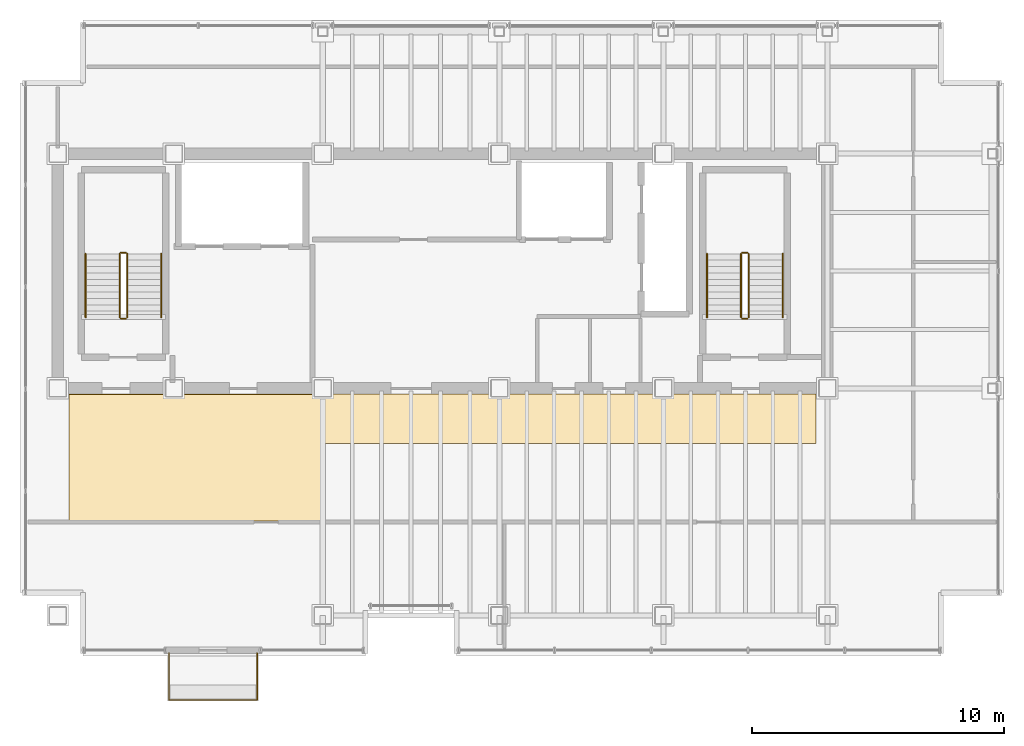
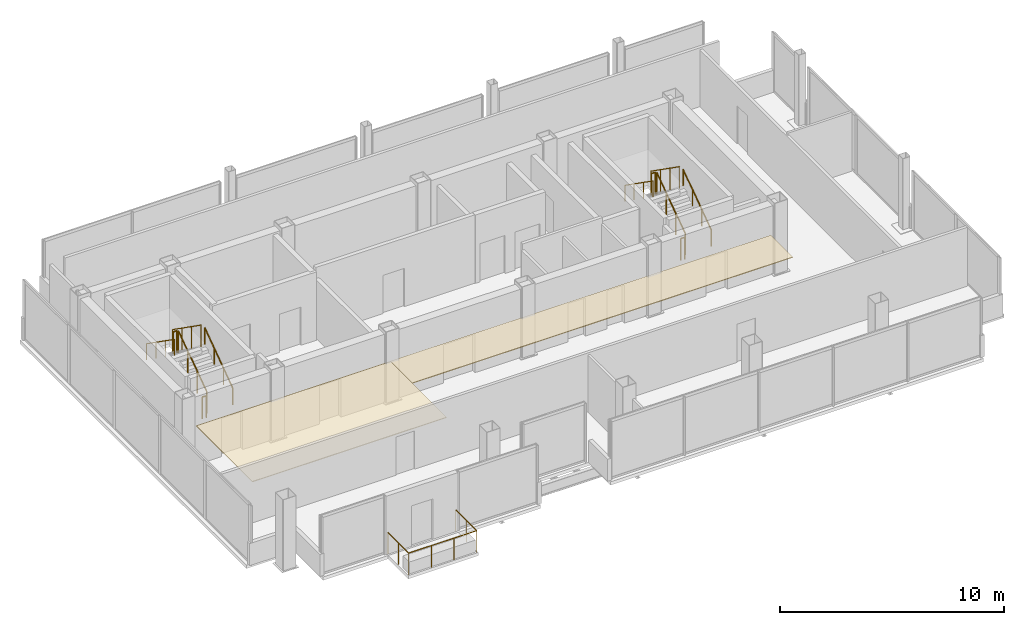
# One storey, part 17 of 17: 13 railings, 2 coverings.
"""IFC4 building model written with IfcOpenShell, lengths in metres."""

from ifc_helpers import new_model, si_unit, direction, frame, origin, origin_2d, place, context, subcontext, project, spatial, polyline, circle, outline, extrude, material, layer, layer_set, type_object, element, save


model = new_model("IFC4")

# Units and contexts
model_context = context("Model", 3, precision=1e-05, world=origin(), true_north=direction((0.0, 1.0)))
body_context = subcontext(model_context, "Body", "Model", "MODEL_VIEW")
ifc_project = project(units=[si_unit("LENGTHUNIT", "METRE"), si_unit("AREAUNIT", "SQUARE_METRE"), si_unit("VOLUMEUNIT", "CUBIC_METRE"), si_unit("PLANEANGLEUNIT", "RADIAN"), si_unit("MASSUNIT", "GRAM", prefix="KILO")], contexts=[model_context])

# Site, building, storey
site_placement = place(None, origin())
site = spatial("IfcSite", under=ifc_project, at=site_placement, CompositionType="ELEMENT")
building_placement = place(site_placement, origin())
building = spatial("IfcBuilding", under=site, at=building_placement, Name="Noeulbin Bourse Tower", CompositionType="ELEMENT")
storey_placement = place(building_placement, frame((0.0, 0.0, 285.199951171875)))
storey = spatial("IfcBuildingStorey", under=building, at=storey_placement, Name="L71", CompositionType="ELEMENT", Elevation=285.199951171875)

# Coverings
ifc_material_1 = material(Name="Perforated Mineral-Fibre Acoustic Tile")
ifc_layer_1 = layer(ifc_material_1, 0.0400390625)
ifc_layer_set_1 = layer_set([ifc_layer_1], Name="Perforated Mineral-Fibre Acoustic Tile")
covering_type_1 = type_object("IfcCoveringType", Name="COV-CEIL-ACT", PredefinedType="CEILING", material=ifc_layer_set_1)
covering_1_placement = place(storey_placement, frame((0.0, 0.0, 2.110107421875)))
element("IfcCovering", 1, at=covering_1_placement, inside=storey, type_object=covering_type_1, Name="Trading Suite Acoustic Ceiling L71", PredefinedType="CEILING", context=body_context, shape_type="SweptSolid", body=[
    extrude(outline(polyline([(13.949951171875, 23.75), (23.949951171875, 23.75), (23.949951171875, 28.75), (13.949951171875, 28.75), (13.949951171875, 23.75)])), origin(), (0.0, 0.0, 1.0), 0.0400390625),
])
ifc_material_2 = material(Name="Linear Anodised Aluminium Baffle Ceiling", Category="aluminium")
ifc_layer_2 = layer(ifc_material_2, 0.050048828125)
ifc_layer_set_2 = layer_set([ifc_layer_2], Name="Linear Anodised Aluminium Baffle Ceiling")
covering_type_2 = type_object("IfcCoveringType", Name="COV-CEIL-MTL", PredefinedType="CEILING", material=ifc_layer_set_2)
covering_2_placement = place(storey_placement, frame((0.0, 0.0, 2.110107421875)))
element("IfcCovering", 2, at=covering_2_placement, inside=storey, type_object=covering_type_2, Name="Corridor Suspended Ceiling L71", PredefinedType="CEILING", context=body_context, shape_type="SweptSolid", body=[
    extrude(outline(polyline([(13.949951171875, 26.820068359375), (43.550048828125, 26.820068359375), (43.550048828125, 28.780029296875), (13.949951171875, 28.780029296875), (13.949951171875, 26.820068359375)])), origin(), (0.0, 0.0, 1.0), 0.0400390625),
])

# Railings
ifc_material_3 = material(Name="Laminated SentryGlas and Stainless Steel 316", Category="steel")
ifc_layer_3 = layer(ifc_material_3, 0.06005859375)
ifc_layer_set_3 = layer_set([ifc_layer_3], Name="Laminated SentryGlas and Stainless Steel 316")
railing_type_1 = type_object("IfcRailingType", Name="RLG-BAL-1200", PredefinedType="BALUSTRADE", material=ifc_layer_set_3)
railing_1_placement = place(storey_placement, frame((17.89990234375, 18.52001953125, 0.0)))
element("IfcRailing", 3, at=railing_1_placement, inside=storey, type_object=railing_type_1, Name="Tree-Balcony Glazed Balustrade L71", PredefinedType="BALUSTRADE", context=body_context, shape_type="SweptSolid", body=[
    extrude(circle(Radius=0.02392578125, at=origin_2d()), frame((0.0, 0.0, 1.17578125), z_axis=(0.0, -1.0, 0.0), x_axis=(1.0, 0.0, 0.0)), (0.0, 0.0, 1.0), 1.8701171875),
    extrude(circle(Radius=0.02392578125, at=origin_2d()), frame((0.0, -1.8701171875, 1.17578125), z_axis=(1.0, 0.0, 0.0), x_axis=(0.0, 1.0, 0.0)), (0.0, 0.0, 1.0), 3.5),
    extrude(circle(Radius=0.02392578125, at=origin_2d()), frame((3.5, -1.8701171875, 1.17578125), z_axis=(0.0, 1.0, 0.0), x_axis=(-1.0, 0.0, 0.0)), (0.0, 0.0, 1.0), 1.8701171875),
    extrude(circle(Radius=0.02099609375, at=origin_2d()), origin(), (0.0, 0.0, 1.0), 1.15185546875),
    extrude(circle(Radius=0.02099609375, at=origin_2d()), frame((0.0, -0.93505859375, 0.0)), (0.0, 0.0, 1.0), 1.15185546875),
    extrude(circle(Radius=0.02099609375, at=origin_2d()), frame((0.0, -1.8701171875, 0.0)), (0.0, 0.0, 1.0), 1.15185546875),
    extrude(circle(Radius=0.02099609375, at=origin_2d()), frame((1.166748046875, -1.8701171875, 0.0)), (0.0, 0.0, 1.0), 1.15185546875),
    extrude(circle(Radius=0.02099609375, at=origin_2d()), frame((2.333251953125, -1.8701171875, 0.0)), (0.0, 0.0, 1.0), 1.15185546875),
    extrude(circle(Radius=0.02099609375, at=origin_2d()), frame((3.5, -1.8701171875, 0.0)), (0.0, 0.0, 1.0), 1.15185546875),
    extrude(circle(Radius=0.02099609375, at=origin_2d()), frame((3.5, -0.93505859375, 0.0)), (0.0, 0.0, 1.0), 1.15185546875),
    extrude(circle(Radius=0.02099609375, at=origin_2d()), frame((3.5, 0.0, 0.0)), (0.0, 0.0, 1.0), 1.15185546875),
])
ifc_material_4 = material(Name="Painted Tubular Steel S355", Category="steel")
ifc_layer_4 = layer(ifc_material_4, 0.048095703125)
ifc_layer_set_4 = layer_set([ifc_layer_4], Name="Painted Tubular Steel S355")
railing_type_2 = type_object("IfcRailingType", Name="RLG-STR-GRD", PredefinedType="GUARDRAIL", material=ifc_layer_set_4)
railing_2_placement = place(storey_placement, frame((16.25, 31.81005859375, 0.17724609375)))
element("IfcRailing", 4, at=railing_2_placement, inside=storey, type_object=railing_type_2, Name="L71 ST-1 stair guard 1", PredefinedType="GUARDRAIL", context=body_context, shape_type="SweptSolid", body=[
    extrude(circle(Radius=0.02392578125, at=origin_2d()), frame((0.0, 0.0, 1.17578125), z_axis=(0.0, 0.817904474719, 0.575354039036), x_axis=(-1.0, 0.0, 0.0)), (0.0, 0.0, 1.0), 3.0810546875),
    extrude(circle(Radius=0.02099609375, at=origin_2d()), origin(), (0.0, 0.0, 1.0), 1.15185546875),
    extrude(circle(Radius=0.02099609375, at=origin_2d()), frame((0.0, 0.840087890625, 0.5908203125)), (0.0, 0.0, 1.0), 1.15185546875),
    extrude(circle(Radius=0.02099609375, at=origin_2d()), frame((0.0, 1.679931640625, 1.181884765625)), (0.0, 0.0, 1.0), 1.15185546875),
    extrude(circle(Radius=0.02099609375, at=origin_2d()), frame((0.0, 2.52001953125, 1.772705078125)), (0.0, 0.0, 1.0), 1.15185546875),
])
railing_3_placement = place(storey_placement, frame((16.199951171875, 34.3798828125, 1.949951171875)))
element("IfcRailing", 5, at=railing_3_placement, inside=storey, type_object=railing_type_2, Name="L71 ST-1 stair guard 2", PredefinedType="GUARDRAIL", context=body_context, shape_type="SweptSolid", body=[
    extrude(circle(Radius=0.02392578125, at=origin_2d()), frame((0.0, 0.0, 1.17578125), z_axis=(-1.0, 0.0, 0.0), x_axis=(0.0, -1.0, 0.0)), (0.0, 0.0, 1.0), 0.199951171875),
    extrude(circle(Radius=0.02099609375, at=origin_2d()), origin(), (0.0, 0.0, 1.0), 1.15185546875),
    extrude(circle(Radius=0.02099609375, at=origin_2d()), frame((-0.199951171875, 0.0, 0.0)), (0.0, 0.0, 1.0), 1.15185546875),
])
railing_4_placement = place(storey_placement, frame((15.949951171875, 34.330078125, 2.12744140625)))
element("IfcRailing", 6, at=railing_4_placement, inside=storey, type_object=railing_type_2, Name="L71 ST-1 stair guard 3", PredefinedType="GUARDRAIL", context=body_context, shape_type="SweptSolid", body=[
    extrude(circle(Radius=0.02392578125, at=origin_2d()), frame((0.0, 0.0, 1.17578125), z_axis=(0.0, -0.817904474719, 0.575354039036), x_axis=(1.0, 0.0, 0.0)), (0.0, 0.0, 1.0), 3.0810546875),
    extrude(circle(Radius=0.02099609375, at=origin_2d()), origin(), (0.0, 0.0, 1.0), 1.15185546875),
    extrude(circle(Radius=0.02099609375, at=origin_2d()), frame((0.0, -0.840087890625, 0.5908203125)), (0.0, 0.0, 1.0), 1.15185546875),
    extrude(circle(Radius=0.02099609375, at=origin_2d()), frame((0.0, -1.679931640625, 1.181884765625)), (0.0, 0.0, 1.0), 1.15185546875),
    extrude(circle(Radius=0.02099609375, at=origin_2d()), frame((0.0, -2.52001953125, 1.772705078125)), (0.0, 0.0, 1.0), 1.15185546875),
])
railing_5_placement = place(storey_placement, frame((16.199951171875, 31.760009765625, 0.0)))
element("IfcRailing", 7, at=railing_5_placement, inside=storey, type_object=railing_type_2, Name="L71 ST-1 stair guard 4", PredefinedType="GUARDRAIL", context=body_context, shape_type="SweptSolid", body=[
    extrude(circle(Radius=0.02392578125, at=origin_2d()), frame((0.0, 0.0, 1.17578125), z_axis=(-1.0, 0.0, 0.0), x_axis=(0.0, -1.0, 0.0)), (0.0, 0.0, 1.0), 0.199951171875),
    extrude(circle(Radius=0.02099609375, at=origin_2d()), origin(), (0.0, 0.0, 1.0), 1.15185546875),
    extrude(circle(Radius=0.02099609375, at=origin_2d()), frame((-0.199951171875, 0.0, 0.0)), (0.0, 0.0, 1.0), 1.15185546875),
])
railing_6_placement = place(storey_placement, frame((40.8798828125, 31.81005859375, 0.17724609375)))
element("IfcRailing", 8, at=railing_6_placement, inside=storey, type_object=railing_type_2, Name="L71 ST-2 stair guard 1", PredefinedType="GUARDRAIL", context=body_context, shape_type="SweptSolid", body=[
    extrude(circle(Radius=0.02392578125, at=origin_2d()), frame((0.0, 0.0, 1.17578125), z_axis=(0.0, 0.817904474719, 0.575354039036), x_axis=(-1.0, 0.0, 0.0)), (0.0, 0.0, 1.0), 3.0810546875),
    extrude(circle(Radius=0.02099609375, at=origin_2d()), origin(), (0.0, 0.0, 1.0), 1.15185546875),
    extrude(circle(Radius=0.02099609375, at=origin_2d()), frame((0.0, 0.840087890625, 0.5908203125)), (0.0, 0.0, 1.0), 1.15185546875),
    extrude(circle(Radius=0.02099609375, at=origin_2d()), frame((0.0, 1.679931640625, 1.181884765625)), (0.0, 0.0, 1.0), 1.15185546875),
    extrude(circle(Radius=0.02099609375, at=origin_2d()), frame((0.0, 2.52001953125, 1.772705078125)), (0.0, 0.0, 1.0), 1.15185546875),
])
railing_7_placement = place(storey_placement, frame((40.830078125, 34.3798828125, 1.949951171875)))
element("IfcRailing", 9, at=railing_7_placement, inside=storey, type_object=railing_type_2, Name="L71 ST-2 stair guard 2", PredefinedType="GUARDRAIL", context=body_context, shape_type="SweptSolid", body=[
    extrude(circle(Radius=0.02392578125, at=origin_2d()), frame((0.0, 0.0, 1.17578125), z_axis=(-1.0, 0.0, 0.0), x_axis=(0.0, -1.0, 0.0)), (0.0, 0.0, 1.0), 0.2001953125),
    extrude(circle(Radius=0.02099609375, at=origin_2d()), origin(), (0.0, 0.0, 1.0), 1.15185546875),
    extrude(circle(Radius=0.02099609375, at=origin_2d()), frame((-0.2001953125, 0.0, 0.0)), (0.0, 0.0, 1.0), 1.15185546875),
])
railing_8_placement = place(storey_placement, frame((40.580078125, 34.330078125, 2.12744140625)))
element("IfcRailing", 10, at=railing_8_placement, inside=storey, type_object=railing_type_2, Name="L71 ST-2 stair guard 3", PredefinedType="GUARDRAIL", context=body_context, shape_type="SweptSolid", body=[
    extrude(circle(Radius=0.02392578125, at=origin_2d()), frame((0.0, 0.0, 1.17578125), z_axis=(0.0, -0.817904474719, 0.575354039036), x_axis=(1.0, 0.0, 0.0)), (0.0, 0.0, 1.0), 3.0810546875),
    extrude(circle(Radius=0.02099609375, at=origin_2d()), origin(), (0.0, 0.0, 1.0), 1.15185546875),
    extrude(circle(Radius=0.02099609375, at=origin_2d()), frame((0.0, -0.840087890625, 0.5908203125)), (0.0, 0.0, 1.0), 1.15185546875),
    extrude(circle(Radius=0.02099609375, at=origin_2d()), frame((0.0, -1.679931640625, 1.181884765625)), (0.0, 0.0, 1.0), 1.15185546875),
    extrude(circle(Radius=0.02099609375, at=origin_2d()), frame((0.0, -2.52001953125, 1.772705078125)), (0.0, 0.0, 1.0), 1.15185546875),
])
railing_9_placement = place(storey_placement, frame((40.830078125, 31.760009765625, 0.0)))
element("IfcRailing", 11, at=railing_9_placement, inside=storey, type_object=railing_type_2, Name="L71 ST-2 stair guard 4", PredefinedType="GUARDRAIL", context=body_context, shape_type="SweptSolid", body=[
    extrude(circle(Radius=0.02392578125, at=origin_2d()), frame((0.0, 0.0, 1.17578125), z_axis=(-1.0, 0.0, 0.0), x_axis=(0.0, -1.0, 0.0)), (0.0, 0.0, 1.0), 0.2001953125),
    extrude(circle(Radius=0.02099609375, at=origin_2d()), origin(), (0.0, 0.0, 1.0), 1.15185546875),
    extrude(circle(Radius=0.02099609375, at=origin_2d()), frame((-0.2001953125, 0.0, 0.0)), (0.0, 0.0, 1.0), 1.15185546875),
])
ifc_material_5 = material(Name="Brushed Stainless Steel 316", Category="steel")
ifc_layer_5 = layer(ifc_material_5, 0.048095703125)
ifc_layer_set_5 = layer_set([ifc_layer_5], Name="Brushed Stainless Steel 316")
railing_type_3 = type_object("IfcRailingType", Name="RLG-STR-HND", PredefinedType="HANDRAIL", material=ifc_layer_set_5)
railing_10_placement = place(storey_placement, frame((17.60009765625, 31.81005859375, 0.17724609375)))
element("IfcRailing", 12, at=railing_10_placement, inside=storey, type_object=railing_type_3, Name="L71 ST-1 stair handrail 1", PredefinedType="HANDRAIL", context=body_context, shape_type="SweptSolid", body=[
    extrude(circle(Radius=0.02392578125, at=origin_2d()), frame((0.0, 0.0, 0.8759765625), z_axis=(0.0, 0.817904474719, 0.575354039036), x_axis=(-1.0, 0.0, 0.0)), (0.0, 0.0, 1.0), 3.0810546875),
    extrude(circle(Radius=0.02099609375, at=origin_2d()), origin(), (0.0, 0.0, 1.0), 0.851806640625),
    extrude(circle(Radius=0.02099609375, at=origin_2d()), frame((0.0, 0.840087890625, 0.5908203125)), (0.0, 0.0, 1.0), 0.851806640625),
    extrude(circle(Radius=0.02099609375, at=origin_2d()), frame((0.0, 1.679931640625, 1.181884765625)), (0.0, 0.0, 1.0), 0.851806640625),
    extrude(circle(Radius=0.02099609375, at=origin_2d()), frame((0.0, 2.52001953125, 1.772705078125)), (0.0, 0.0, 1.0), 0.851806640625),
])
railing_11_placement = place(storey_placement, frame((14.60009765625, 34.330078125, 2.12744140625)))
element("IfcRailing", 13, at=railing_11_placement, inside=storey, type_object=railing_type_3, Name="L71 ST-1 stair handrail 2", PredefinedType="HANDRAIL", context=body_context, shape_type="SweptSolid", body=[
    extrude(circle(Radius=0.02392578125, at=origin_2d()), frame((0.0, 0.0, 0.8759765625), z_axis=(0.0, -0.817904474719, 0.575354039036), x_axis=(1.0, 0.0, 0.0)), (0.0, 0.0, 1.0), 3.0810546875),
    extrude(circle(Radius=0.02099609375, at=origin_2d()), origin(), (0.0, 0.0, 1.0), 0.851806640625),
    extrude(circle(Radius=0.02099609375, at=origin_2d()), frame((0.0, -0.840087890625, 0.5908203125)), (0.0, 0.0, 1.0), 0.851806640625),
    extrude(circle(Radius=0.02099609375, at=origin_2d()), frame((0.0, -1.679931640625, 1.181884765625)), (0.0, 0.0, 1.0), 0.851806640625),
    extrude(circle(Radius=0.02099609375, at=origin_2d()), frame((0.0, -2.52001953125, 1.772705078125)), (0.0, 0.0, 1.0), 0.851806640625),
])
railing_12_placement = place(storey_placement, frame((42.22998046875, 31.81005859375, 0.17724609375)))
element("IfcRailing", 14, at=railing_12_placement, inside=storey, type_object=railing_type_3, Name="L71 ST-2 stair handrail 1", PredefinedType="HANDRAIL", context=body_context, shape_type="SweptSolid", body=[
    extrude(circle(Radius=0.02392578125, at=origin_2d()), frame((0.0, 0.0, 0.8759765625), z_axis=(0.0, 0.817904474719, 0.575354039036), x_axis=(-1.0, 0.0, 0.0)), (0.0, 0.0, 1.0), 3.0810546875),
    extrude(circle(Radius=0.02099609375, at=origin_2d()), origin(), (0.0, 0.0, 1.0), 0.851806640625),
    extrude(circle(Radius=0.02099609375, at=origin_2d()), frame((0.0, 0.840087890625, 0.5908203125)), (0.0, 0.0, 1.0), 0.851806640625),
    extrude(circle(Radius=0.02099609375, at=origin_2d()), frame((0.0, 1.679931640625, 1.181884765625)), (0.0, 0.0, 1.0), 0.851806640625),
    extrude(circle(Radius=0.02099609375, at=origin_2d()), frame((0.0, 2.52001953125, 1.772705078125)), (0.0, 0.0, 1.0), 0.851806640625),
])
railing_13_placement = place(storey_placement, frame((39.22998046875, 34.330078125, 2.12744140625)))
element("IfcRailing", 15, at=railing_13_placement, inside=storey, type_object=railing_type_3, Name="L71 ST-2 stair handrail 2", PredefinedType="HANDRAIL", context=body_context, shape_type="SweptSolid", body=[
    extrude(circle(Radius=0.02392578125, at=origin_2d()), frame((0.0, 0.0, 0.8759765625), z_axis=(0.0, -0.817904474719, 0.575354039036), x_axis=(1.0, 0.0, 0.0)), (0.0, 0.0, 1.0), 3.0810546875),
    extrude(circle(Radius=0.02099609375, at=origin_2d()), origin(), (0.0, 0.0, 1.0), 0.851806640625),
    extrude(circle(Radius=0.02099609375, at=origin_2d()), frame((0.0, -0.840087890625, 0.5908203125)), (0.0, 0.0, 1.0), 0.851806640625),
    extrude(circle(Radius=0.02099609375, at=origin_2d()), frame((0.0, -1.679931640625, 1.181884765625)), (0.0, 0.0, 1.0), 0.851806640625),
    extrude(circle(Radius=0.02099609375, at=origin_2d()), frame((0.0, -2.52001953125, 1.772705078125)), (0.0, 0.0, 1.0), 0.851806640625),
])

save(model, "model.ifc")
